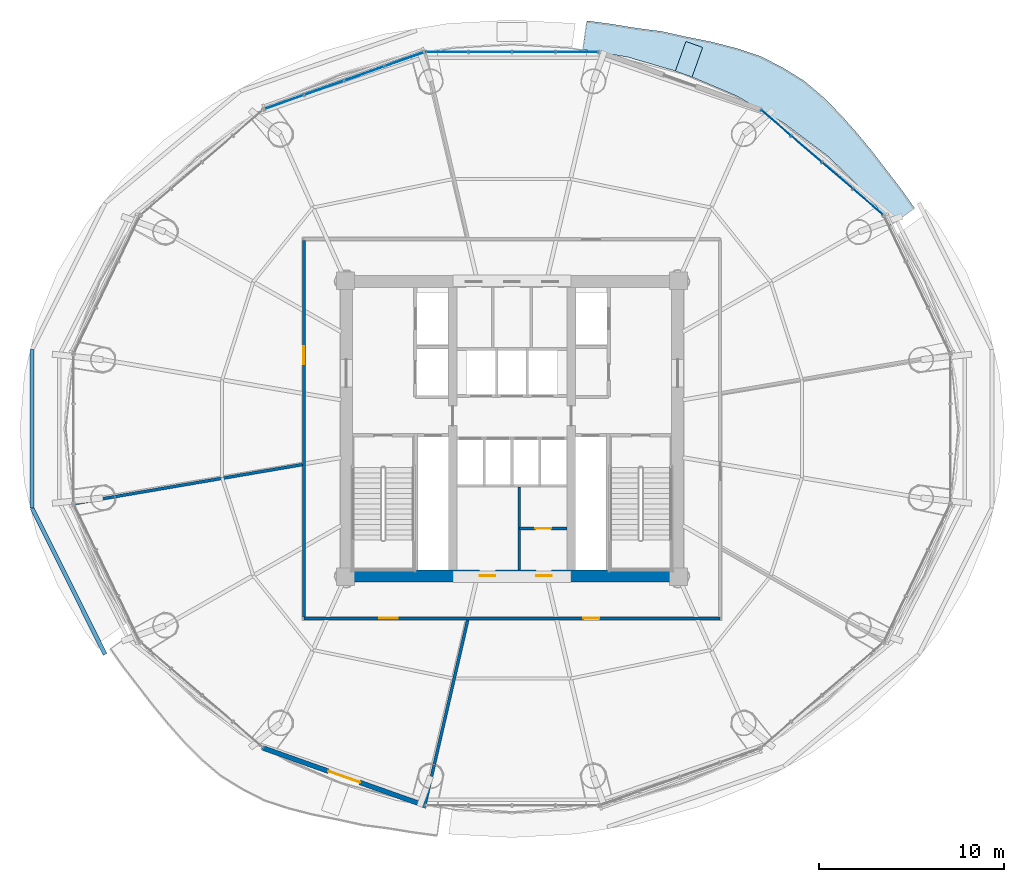
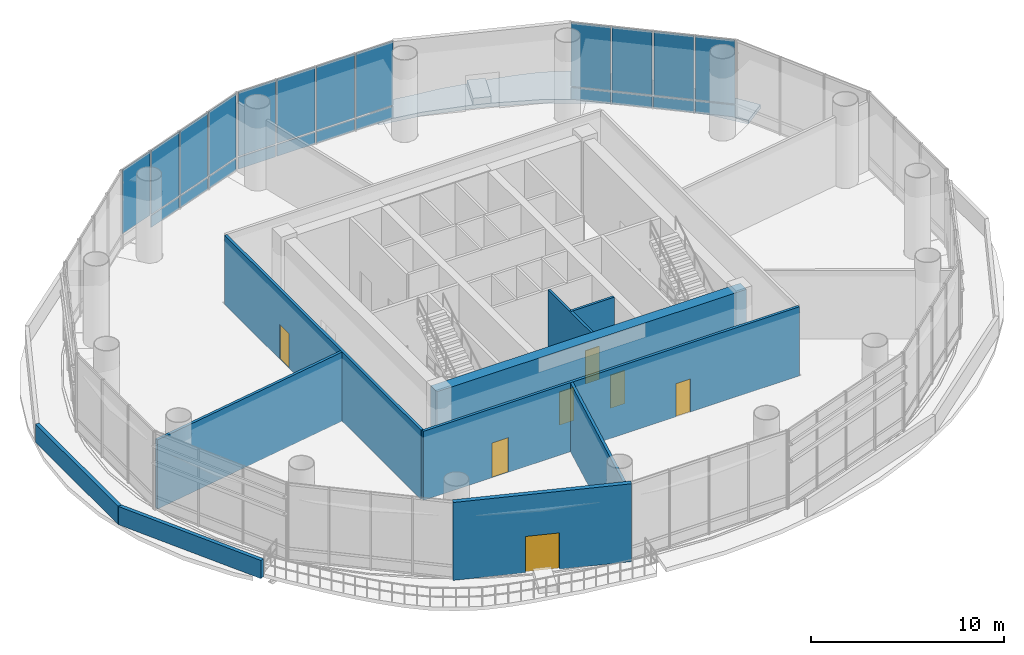
# One storey, part 21 of 29: 23 plates, 10 walls, 7 doors, 2 slabs, 7 openings, 3 elements without a shape of their own.
"""IFC4 building model written with IfcOpenShell, lengths in metres."""

from ifc_helpers import new_model, si_unit, direction, frame, frame_2d, origin, origin_2d, place, context, subcontext, project, spatial, polyline, rectangle, outline, extrude, source, transform, mapped, material, layer, layer_set, type_object, element, fill, aggregate, save


model = new_model("IFC4")

# Units and contexts
model_context = context("Model", 3, precision=1e-05, world=origin(), true_north=direction((-0.2419218956, 0.970295726276)))
body_context = subcontext(model_context, "Body", "Model", "MODEL_VIEW")
ifc_project = project(units=[si_unit("LENGTHUNIT", "METRE"), si_unit("AREAUNIT", "SQUARE_METRE"), si_unit("VOLUMEUNIT", "CUBIC_METRE"), si_unit("PLANEANGLEUNIT", "RADIAN"), si_unit("MASSUNIT", "GRAM", prefix="KILO")], contexts=[model_context])

# Site, building, storey
site_placement = place(None, origin())
site = spatial("IfcSite", under=ifc_project, at=site_placement, CompositionType="ELEMENT")
building_placement = place(site_placement, origin())
building = spatial("IfcBuilding", under=site, at=building_placement, Name="Cobrevalo Terracotta Tower", CompositionType="ELEMENT")
storey_placement = place(building_placement, frame((0.0, 0.0, 130.199951171875)))
storey = spatial("IfcBuildingStorey", under=building, at=storey_placement, Name="L34", CompositionType="ELEMENT", Elevation=130.199951171875)

# Slabs
ifc_material_1 = material(Name="Concrete C45", Category="concrete")
ifc_layer_1 = layer(ifc_material_1, 0.235107421875)
ifc_layer_set_1 = layer_set([ifc_layer_1], Name="Concrete C45")
slab_type_1 = type_object("IfcSlabType", Name="Sky-terrace & stepped lobe balcony slab 235 mm", PredefinedType="FLOOR", material=ifc_layer_set_1)
slab_1_placement = place(storey_placement, frame((0.0, 0.0, -0.23486328125)))
element("IfcSlab", 1, at=slab_1_placement, inside=storey, type_object=slab_type_1, Name="L34 spiralling arc balcony slab lobe 1", PredefinedType="FLOOR", context=body_context, shape_type="SweptSolid", body=[
    extrude(outline(polyline([(59.771484375, 38.722412109375), (59.044189453125, 39.749267578125), (58.2724609375, 40.7490234375), (57.4833984375, 41.774169921875), (56.6552734375, 42.78173828125), (55.771728515625, 43.77685546875), (54.823486328125, 44.734619140625), (53.79345703125, 45.611328125), (52.631591796875, 46.326904296875), (51.419921875, 46.94921875), (50.106689453125, 47.37890625), (48.770263671875, 47.72265625), (47.422607421875, 47.990478515625), (46.088623046875, 48.285888671875), (44.73583984375, 48.460693359375), (43.39501953125, 48.678955078125), (42.050048828125, 48.861572265625), (41.83544921875, 47.308349609375), (44.263916015625, 46.893310546875), (47.26171875, 46.0185546875), (50.10107421875, 44.81494140625), (52.733154296875, 43.30322265625), (55.11328125, 41.50927734375), (57.20068359375, 39.46337890625), (58.49658203125, 37.796630859375), (59.771484375, 38.722412109375)])), origin(), (0.0, 0.0, 1.0), 0.23486328125),
])
ifc_material_2 = material(Name="Precast concrete C45", Category="concrete")
ifc_layer_2 = layer(ifc_material_2, 0.419921875)
ifc_layer_set_2 = layer_set([ifc_layer_2], Name="Precast concrete C45")
slab_type_2 = type_object("IfcSlabType", Name="Structural tree planter trough base 420 mm", PredefinedType="USERDEFINED", material=ifc_layer_set_2)
slab_2_placement = place(storey_placement, origin())
element("IfcSlab", 2, at=slab_2_placement, inside=storey, type_object=slab_type_2, Name="L34 structural tree planter trough 1", ObjectType="PLANTER", PredefinedType="USERDEFINED", context=body_context, shape_type="SweptSolid", body=[
    extrude(outline(polyline([(47.733642578125, 45.81591796875), (48.305908203125, 47.416748046875), (47.40185546875, 47.73974609375), (46.829833984375, 46.138916015625), (47.733642578125, 45.81591796875)])), origin(), (0.0, 0.0, 1.0), 0.420166015625),
])

# Curtain wall, plates
ifc_material_3 = material(Name="Anodized aluminium", Category="aluminium")
curtain_wall_type = type_object("IfcCurtainWallType", Name="Double-height sky-lobby panoramic curtain wall CW-SK", PredefinedType="NOTDEFINED", material=ifc_material_3)
curtain_wall_1_placement = place(storey_placement, origin())
curtain_wall_1 = element("IfcCurtainWall", 3, at=curtain_wall_1_placement, inside=storey, type_object=curtain_wall_type, Name="L34 curtain wall CW-SK-L34-S02", PredefinedType="NOTDEFINED")
ifc_material_4 = material(Name="Terracotta-faced insulated spandrel", Category="masonry")
ifc_layer_3 = layer(ifc_material_4, 0.044921875)
ifc_layer_set_3 = layer_set([ifc_layer_3], Name="Terracotta-faced insulated spandrel")
plate_type_1 = type_object("IfcPlateType", Name="Insulated terracotta-faced spandrel cassette 45 mm", PredefinedType="CURTAIN_PANEL", material=ifc_layer_set_3)
shared_shape_1 = source(origin(), body_context, "Body", "SweptSolid", [
    extrude(rectangle(XDim=2.078125, YDim=0.044921875, at=origin_2d()), origin(), (0.0, 0.0, 1.0), 0.739990234375),
])
plate_1_placement = place(storey_placement, frame((57.247802734375, 39.068603515625, 0.0400390625), z_axis=(0.0, 0.0, 1.0), x_axis=(-0.758436996112, 0.651746363955, 0.0)))
plate_1 = element("IfcPlate", 4, at=plate_1_placement, type_object=plate_type_1, Name="CW-SK-L34-S02 terracotta spandrel panel B01", PredefinedType="CURTAIN_PANEL", context=body_context, shape_type="MappedRepresentation", body=[
    mapped(shared_shape_1, transform((0.0, 0.0, 0.0), scale=1.0)),
])
plate_2_placement = place(storey_placement, frame((52.27685546875, 43.34033203125, 0.0400390625), z_axis=(0.0, 0.0, 1.0), x_axis=(-0.758436996112, 0.651746363955, 0.0)))
plate_2 = element("IfcPlate", 5, at=plate_2_placement, type_object=plate_type_1, Name="CW-SK-L34-S02 terracotta spandrel panel B04", PredefinedType="CURTAIN_PANEL", context=body_context, shape_type="MappedRepresentation", body=[
    mapped(shared_shape_1, transform((0.0, 0.0, 0.0), scale=1.0)),
])
ifc_material_5 = material(Name="Laminated low-E double glazing", Category="glass")
ifc_layer_4 = layer(ifc_material_5, 0.031982421875)
ifc_layer_set_4 = layer_set([ifc_layer_4], Name="Laminated low-E double glazing")
plate_type_2 = type_object("IfcPlateType", Name="Podium clear acoustic laminated glazing panel 32 mm", PredefinedType="CURTAIN_PANEL", material=ifc_layer_set_4)
shared_shape_2 = source(origin(), body_context, "Body", "SweptSolid", [
    extrude(rectangle(XDim=2.078125, YDim=0.035888671875, at=origin_2d()), origin(), (0.0, 0.0, 1.0), 4.030029296875),
])
plate_3_placement = place(storey_placement, frame((57.247802734375, 39.068603515625, 0.85986328125), z_axis=(0.0, 0.0, 1.0), x_axis=(-0.758436996112, 0.651746363955, 0.0)))
plate_3 = element("IfcPlate", 6, at=plate_3_placement, type_object=plate_type_2, Name="CW-SK-L34-S02 glazing panel B01", PredefinedType="CURTAIN_PANEL", context=body_context, shape_type="MappedRepresentation", body=[
    mapped(shared_shape_2, transform((0.0, 0.0, 0.0), scale=1.0)),
])
plate_4_placement = place(storey_placement, frame((52.27685546875, 43.34033203125, 0.85986328125), z_axis=(0.0, 0.0, 1.0), x_axis=(-0.758436996112, 0.651746363955, 0.0)))
plate_4 = element("IfcPlate", 7, at=plate_4_placement, type_object=plate_type_2, Name="CW-SK-L34-S02 glazing panel B04", PredefinedType="CURTAIN_PANEL", context=body_context, shape_type="MappedRepresentation", body=[
    mapped(shared_shape_2, transform((0.0, 0.0, 0.0), scale=1.0)),
])
shared_shape_3 = source(origin(), body_context, "Body", "SweptSolid", [
    extrude(rectangle(XDim=2.1181640625, YDim=0.044921875, at=origin_2d()), origin(), (0.0, 0.0, 1.0), 0.739990234375),
])
plate_5_placement = place(storey_placement, frame((55.595947265625, 40.488037109375, 0.0400390625), z_axis=(0.0, 0.0, 1.0), x_axis=(-0.758436996112, 0.651746363955, 0.0)))
plate_5 = element("IfcPlate", 8, at=plate_5_placement, type_object=plate_type_1, Name="CW-SK-L34-S02 terracotta spandrel panel B02", PredefinedType="CURTAIN_PANEL", context=body_context, shape_type="MappedRepresentation", body=[
    mapped(shared_shape_3, transform((0.0, 0.0, 0.0), scale=1.0)),
])
plate_6_placement = place(storey_placement, frame((53.9287109375, 41.920654296875, 0.0400390625), z_axis=(0.0, 0.0, 1.0), x_axis=(-0.758436996112, 0.651746363955, 0.0)))
plate_6 = element("IfcPlate", 9, at=plate_6_placement, type_object=plate_type_1, Name="CW-SK-L34-S02 terracotta spandrel panel B03", PredefinedType="CURTAIN_PANEL", context=body_context, shape_type="MappedRepresentation", body=[
    mapped(shared_shape_3, transform((0.0, 0.0, 0.0), scale=1.0)),
])
shared_shape_4 = source(origin(), body_context, "Body", "SweptSolid", [
    extrude(rectangle(XDim=2.1181640625, YDim=0.035888671875, at=origin_2d()), origin(), (0.0, 0.0, 1.0), 4.030029296875),
])
plate_7_placement = place(storey_placement, frame((55.595947265625, 40.488037109375, 0.85986328125), z_axis=(0.0, 0.0, 1.0), x_axis=(-0.758436996112, 0.651746363955, 0.0)))
plate_7 = element("IfcPlate", 10, at=plate_7_placement, type_object=plate_type_2, Name="CW-SK-L34-S02 glazing panel B02", PredefinedType="CURTAIN_PANEL", context=body_context, shape_type="MappedRepresentation", body=[
    mapped(shared_shape_4, transform((0.0, 0.0, 0.0), scale=1.0)),
])
plate_8_placement = place(storey_placement, frame((53.9287109375, 41.920654296875, 0.85986328125), z_axis=(0.0, 0.0, 1.0), x_axis=(-0.758436996112, 0.651746363955, 0.0)))
plate_8 = element("IfcPlate", 11, at=plate_8_placement, type_object=plate_type_2, Name="CW-SK-L34-S02 glazing panel B03", PredefinedType="CURTAIN_PANEL", context=body_context, shape_type="MappedRepresentation", body=[
    mapped(shared_shape_4, transform((0.0, 0.0, 0.0), scale=1.0)),
])
aggregate(curtain_wall_1, [plate_1, plate_3, plate_5, plate_7, plate_6, plate_8, plate_2, plate_4])

curtain_wall_2_placement = place(storey_placement, origin())
curtain_wall_2 = element("IfcCurtainWall", 12, at=curtain_wall_2_placement, inside=storey, type_object=curtain_wall_type, Name="L34 curtain wall CW-SK-L34-S04", PredefinedType="NOTDEFINED")
shared_shape_5 = source(origin(), body_context, "Body", "SweptSolid", [
    extrude(rectangle(XDim=2.23779296875, YDim=0.044921875, at=origin_2d()), origin(), (0.0, 0.0, 1.0), 0.739990234375),
])
plate_9_placement = place(storey_placement, frame((41.5166015625, 47.1708984375, 0.0400390625), z_axis=(0.0, 0.0, 1.0), x_axis=(-1.0, 0.0, 0.0)))
plate_9 = element("IfcPlate", 13, at=plate_9_placement, type_object=plate_type_1, Name="CW-SK-L34-S04 terracotta spandrel panel B01", PredefinedType="CURTAIN_PANEL", context=body_context, shape_type="MappedRepresentation", body=[
    mapped(shared_shape_5, transform((0.0, 0.0, 0.0), scale=1.0)),
])
plate_10_placement = place(storey_placement, frame((34.4833984375, 47.1708984375, 0.0400390625), z_axis=(0.0, 0.0, 1.0), x_axis=(-1.0, 0.0, 0.0)))
plate_10 = element("IfcPlate", 14, at=plate_10_placement, type_object=plate_type_1, Name="CW-SK-L34-S04 terracotta spandrel panel B04", PredefinedType="CURTAIN_PANEL", context=body_context, shape_type="MappedRepresentation", body=[
    mapped(shared_shape_5, transform((0.0, 0.0, 0.0), scale=1.0)),
])
shared_shape_6 = source(origin(), body_context, "Body", "SweptSolid", [
    extrude(rectangle(XDim=2.23779296875, YDim=0.035888671875, at=origin_2d()), origin(), (0.0, 0.0, 1.0), 4.030029296875),
])
plate_11_placement = place(storey_placement, frame((41.5166015625, 47.1708984375, 0.85986328125), z_axis=(0.0, 0.0, 1.0), x_axis=(-1.0, 0.0, 0.0)))
plate_11 = element("IfcPlate", 15, at=plate_11_placement, type_object=plate_type_2, Name="CW-SK-L34-S04 glazing panel B01", PredefinedType="CURTAIN_PANEL", context=body_context, shape_type="MappedRepresentation", body=[
    mapped(shared_shape_6, transform((0.0, 0.0, 0.0), scale=1.0)),
])
plate_12_placement = place(storey_placement, frame((34.4833984375, 47.1708984375, 0.85986328125), z_axis=(0.0, 0.0, 1.0), x_axis=(-1.0, 0.0, 0.0)))
plate_12 = element("IfcPlate", 16, at=plate_12_placement, type_object=plate_type_2, Name="CW-SK-L34-S04 glazing panel B04", PredefinedType="CURTAIN_PANEL", context=body_context, shape_type="MappedRepresentation", body=[
    mapped(shared_shape_6, transform((0.0, 0.0, 0.0), scale=1.0)),
])
shared_shape_7 = source(origin(), body_context, "Body", "SweptSolid", [
    extrude(rectangle(XDim=2.277587890625, YDim=0.044921875, at=origin_2d()), origin(), (0.0, 0.0, 1.0), 0.739990234375),
])
plate_13_placement = place(storey_placement, frame((39.1787109375, 47.1708984375, 0.0400390625), z_axis=(0.0, 0.0, 1.0), x_axis=(-1.0, 0.0, 0.0)))
plate_13 = element("IfcPlate", 17, at=plate_13_placement, type_object=plate_type_1, Name="CW-SK-L34-S04 terracotta spandrel panel B02", PredefinedType="CURTAIN_PANEL", context=body_context, shape_type="MappedRepresentation", body=[
    mapped(shared_shape_7, transform((0.0, 0.0, 0.0), scale=1.0)),
])
plate_14_placement = place(storey_placement, frame((36.8212890625, 47.1708984375, 0.0400390625), z_axis=(0.0, 0.0, 1.0), x_axis=(-1.0, 0.0, 0.0)))
plate_14 = element("IfcPlate", 18, at=plate_14_placement, type_object=plate_type_1, Name="CW-SK-L34-S04 terracotta spandrel panel B03", PredefinedType="CURTAIN_PANEL", context=body_context, shape_type="MappedRepresentation", body=[
    mapped(shared_shape_7, transform((0.0, 0.0, 0.0), scale=1.0)),
])
shared_shape_8 = source(origin(), body_context, "Body", "SweptSolid", [
    extrude(rectangle(XDim=2.277587890625, YDim=0.035888671875, at=origin_2d()), origin(), (0.0, 0.0, 1.0), 4.030029296875),
])
plate_15_placement = place(storey_placement, frame((39.1787109375, 47.1708984375, 0.85986328125), z_axis=(0.0, 0.0, 1.0), x_axis=(-1.0, 0.0, 0.0)))
plate_15 = element("IfcPlate", 19, at=plate_15_placement, type_object=plate_type_2, Name="CW-SK-L34-S04 glazing panel B02", PredefinedType="CURTAIN_PANEL", context=body_context, shape_type="MappedRepresentation", body=[
    mapped(shared_shape_8, transform((0.0, 0.0, 0.0), scale=1.0)),
])
plate_16_placement = place(storey_placement, frame((36.8212890625, 47.1708984375, 0.85986328125), z_axis=(0.0, 0.0, 1.0), x_axis=(-1.0, 0.0, 0.0)))
plate_16 = element("IfcPlate", 20, at=plate_16_placement, type_object=plate_type_2, Name="CW-SK-L34-S04 glazing panel B03", PredefinedType="CURTAIN_PANEL", context=body_context, shape_type="MappedRepresentation", body=[
    mapped(shared_shape_8, transform((0.0, 0.0, 0.0), scale=1.0)),
])
aggregate(curtain_wall_2, [plate_9, plate_11, plate_13, plate_15, plate_14, plate_16, plate_10, plate_12])

curtain_wall_3_placement = place(storey_placement, origin())
curtain_wall_3 = element("IfcCurtainWall", 21, at=curtain_wall_3_placement, inside=storey, type_object=curtain_wall_type, Name="L34 curtain wall CW-SK-L34-S05", PredefinedType="NOTDEFINED")
shared_shape_9 = source(origin(), body_context, "Body", "SweptSolid", [
    extrude(rectangle(XDim=2.192138671875, YDim=0.044921875, at=origin_2d()), origin(), (0.0, 0.0, 1.0), 0.739990234375),
])
plate_17_placement = place(storey_placement, frame((32.1767578125, 46.776611328125, 0.0400390625), z_axis=(0.0, 0.0, 1.0), x_axis=(-0.942098428897, -0.335336473217, 0.0)))
plate_17 = element("IfcPlate", 22, at=plate_17_placement, type_object=plate_type_1, Name="CW-SK-L34-S05 terracotta spandrel panel B01", PredefinedType="CURTAIN_PANEL", context=body_context, shape_type="MappedRepresentation", body=[
    mapped(shared_shape_9, transform((0.0, 0.0, 0.0), scale=1.0)),
])
shared_shape_10 = source(origin(), body_context, "Body", "SweptSolid", [
    extrude(rectangle(XDim=2.192138671875, YDim=0.035888671875, at=origin_2d()), origin(), (0.0, 0.0, 1.0), 4.030029296875),
])
plate_18_placement = place(storey_placement, frame((32.1767578125, 46.776611328125, 0.85986328125), z_axis=(0.0, 0.0, 1.0), x_axis=(-0.942098428897, -0.335336473217, 0.0)))
plate_18 = element("IfcPlate", 23, at=plate_18_placement, type_object=plate_type_2, Name="CW-SK-L34-S05 glazing panel B01", PredefinedType="CURTAIN_PANEL", context=body_context, shape_type="MappedRepresentation", body=[
    mapped(shared_shape_10, transform((0.0, 0.0, 0.0), scale=1.0)),
])
plate_19_placement = place(storey_placement, frame((25.6796875, 44.464111328125, 0.85986328125), z_axis=(0.0, 0.0, 1.0), x_axis=(-0.942098428897, -0.335336473217, 0.0)))
plate_19 = element("IfcPlate", 24, at=plate_19_placement, type_object=plate_type_2, Name="CW-SK-L34-S05 glazing panel B04", PredefinedType="CURTAIN_PANEL", context=body_context, shape_type="MappedRepresentation", body=[
    mapped(shared_shape_10, transform((0.0, 0.0, 0.0), scale=1.0)),
])
shared_shape_11 = source(origin(), body_context, "Body", "SweptSolid", [
    extrude(rectangle(XDim=2.232177734375, YDim=0.044921875, at=origin_2d()), origin(), (0.0, 0.0, 1.0), 0.739990234375),
])
plate_20_placement = place(storey_placement, frame((30.017333984375, 46.0078125, 0.0400390625), z_axis=(0.0, 0.0, 1.0), x_axis=(-0.942098428897, -0.335336473217, 0.0)))
plate_20 = element("IfcPlate", 25, at=plate_20_placement, type_object=plate_type_1, Name="CW-SK-L34-S05 terracotta spandrel panel B02", PredefinedType="CURTAIN_PANEL", context=body_context, shape_type="MappedRepresentation", body=[
    mapped(shared_shape_11, transform((0.0, 0.0, 0.0), scale=1.0)),
])
plate_21_placement = place(storey_placement, frame((27.839111328125, 45.232666015625, 0.0400390625), z_axis=(0.0, 0.0, 1.0), x_axis=(-0.942098428897, -0.335336473217, 0.0)))
plate_21 = element("IfcPlate", 26, at=plate_21_placement, type_object=plate_type_1, Name="CW-SK-L34-S05 terracotta spandrel panel B03", PredefinedType="CURTAIN_PANEL", context=body_context, shape_type="MappedRepresentation", body=[
    mapped(shared_shape_11, transform((0.0, 0.0, 0.0), scale=1.0)),
])
shared_shape_12 = source(origin(), body_context, "Body", "SweptSolid", [
    extrude(rectangle(XDim=2.232177734375, YDim=0.035888671875, at=origin_2d()), origin(), (0.0, 0.0, 1.0), 4.030029296875),
])
plate_22_placement = place(storey_placement, frame((30.017333984375, 46.0078125, 0.85986328125), z_axis=(0.0, 0.0, 1.0), x_axis=(-0.942098428897, -0.335336473217, 0.0)))
plate_22 = element("IfcPlate", 27, at=plate_22_placement, type_object=plate_type_2, Name="CW-SK-L34-S05 glazing panel B02", PredefinedType="CURTAIN_PANEL", context=body_context, shape_type="MappedRepresentation", body=[
    mapped(shared_shape_12, transform((0.0, 0.0, 0.0), scale=1.0)),
])
plate_23_placement = place(storey_placement, frame((27.839111328125, 45.232666015625, 0.85986328125), z_axis=(0.0, 0.0, 1.0), x_axis=(-0.942098428897, -0.335336473217, 0.0)))
plate_23 = element("IfcPlate", 28, at=plate_23_placement, type_object=plate_type_2, Name="CW-SK-L34-S05 glazing panel B03", PredefinedType="CURTAIN_PANEL", context=body_context, shape_type="MappedRepresentation", body=[
    mapped(shared_shape_12, transform((0.0, 0.0, 0.0), scale=1.0)),
])
aggregate(curtain_wall_3, [plate_17, plate_18, plate_20, plate_22, plate_21, plate_23, plate_19])

# Wall, openings, doors
ifc_material_6 = material(Name="Concrete C55", Category="concrete")
ifc_layer_5 = layer(ifc_material_6, 0.64990234375)
ifc_layer_set_5 = layer_set([ifc_layer_5], Name="Concrete C55")
wall_type_1 = type_object("IfcWallType", Name="Core shear wall 650 mm Concrete C55", PredefinedType="SHEAR", material=ifc_layer_set_5)
wall_1_placement = place(storey_placement, frame((28.72509765625, 18.85009765625, 0.0), z_axis=(0.0, 0.0, 1.0), x_axis=(1.0, 0.0, 0.0)))
wall_1 = element("IfcWall", 29, at=wall_1_placement, inside=storey, type_object=wall_type_1, Name="L34 south core shear wall", PredefinedType="SHEAR", context=body_context, shape_type="SweptSolid", body=[
    extrude(rectangle(XDim=18.5498046875, YDim=0.64990234375, at=frame_2d((9.27490234375, 0.0))), origin(), (0.0, 0.0, 1.0), 4.929931640625),
])
opening_1_placement = place(wall_1_placement, frame((7.527587890625, 0.0, 0.0)))
opening_1 = element("IfcOpeningElement", 30, at=opening_1_placement, cuts=wall_1, Name="Opening ID-22", PredefinedType="OPENING", context=body_context, shape_type="SweptSolid", body=[
    extrude(rectangle(XDim=0.85009765625, YDim=2.10009765625, at=frame_2d((0.425048828125, 1.050048828125))), frame((0.0, 0.3349609375, 0.0), z_axis=(0.0, -1.0, 0.0), x_axis=(1.0, 0.0, 0.0)), (0.0, 0.0, 1.0), 0.669921875),
])
opening_2_placement = place(wall_1_placement, frame((10.572509765625, 0.0, 0.0)))
opening_2 = element("IfcOpeningElement", 31, at=opening_2_placement, cuts=wall_1, Name="Opening ID-22", PredefinedType="OPENING", context=body_context, shape_type="SweptSolid", body=[
    extrude(rectangle(XDim=0.85009765625, YDim=2.10009765625, at=frame_2d((0.425048828125, 1.050048828125))), frame((0.0, 0.3349609375, 0.0), z_axis=(0.0, -1.0, 0.0), x_axis=(1.0, 0.0, 0.0)), (0.0, 0.0, 1.0), 0.669921875),
])
ifc_material_7 = material(Name="Powder-coated steel", Category="steel")
door_type_1 = type_object("IfcDoorType", Name="Riser shaft & meter closet fire access door 850x2100 EI 60", OperationType="NOTDEFINED", PredefinedType="DOOR", material=ifc_material_7)
shared_shape_13 = source(origin(), body_context, "Body", "SweptSolid", [
    extrude(rectangle(XDim=0.85009765625, YDim=2.10009765625, at=frame_2d((0.425048828125, 1.050048828125))), frame((0.0, 0.02490234375, 0.0), z_axis=(0.0, -1.0, 0.0), x_axis=(1.0, 0.0, 0.0)), (0.0, 0.0, 1.0), 0.050048828125),
])
door_1_placement = place(opening_1_placement, origin())
door_1 = element("IfcDoor", 32, at=door_1_placement, inside=storey, type_object=door_type_1, Name="L34 core south plant door Floor AHU Mechanical Plant", OperationType="SINGLE_SWING_RIGHT", OverallHeight=2.10009765625, OverallWidth=0.85009765625, PredefinedType="DOOR", context=body_context, shape_type="MappedRepresentation", body=[
    mapped(shared_shape_13, transform((0.0, 0.0, 0.0), scale=1.0)),
])
fill(opening_1, door_1)
door_2_placement = place(opening_2_placement, origin())
door_2 = element("IfcDoor", 33, at=door_2_placement, inside=storey, type_object=door_type_1, Name="L34 core south plant door Sprinkler Valve Plant", OperationType="SINGLE_SWING_RIGHT", OverallHeight=2.10009765625, OverallWidth=0.85009765625, PredefinedType="DOOR", context=body_context, shape_type="MappedRepresentation", body=[
    mapped(shared_shape_13, transform((0.0, 0.0, 0.0), scale=1.0)),
])
fill(opening_2, door_2)

ifc_material_8 = material(Name="Gypsum board on steel stud", Category="steel")
ifc_layer_6 = layer(ifc_material_8, 0.159912109375)
ifc_layer_set_6 = layer_set([ifc_layer_6], Name="Gypsum board on steel stud")
wall_type_2 = type_object("IfcWallType", Name="Fire-rated corridor acoustic partition wall 160 mm", PredefinedType="PARTITIONING", material=ifc_layer_set_6)
wall_2_placement = place(storey_placement, frame((26.7451171875, 16.544921875, 0.0), z_axis=(0.0, 0.0, 1.0), x_axis=(1.0, 0.0, 0.0)))
wall_2 = element("IfcWall", 34, at=wall_2_placement, inside=storey, type_object=wall_type_2, Name="L34 interior partition IW-L34-COR-S", PredefinedType="PARTITIONING", context=body_context, shape_type="SweptSolid", body=[
    extrude(rectangle(XDim=22.509765625, YDim=0.159912109375, at=frame_2d((11.2548828125, 0.0))), origin(), (0.0, 0.0, 1.0), 4.3759765625),
])
opening_3_placement = place(wall_2_placement, frame((4.086181640625, 0.0, 0.0)))
opening_3 = element("IfcOpeningElement", 35, at=opening_3_placement, cuts=wall_2, Name="Opening ID-05", PredefinedType="OPENING", context=body_context, shape_type="SweptSolid", body=[
    extrude(rectangle(XDim=0.97998046875, YDim=2.199951171875, at=frame_2d((0.489990234375, 1.10009765625))), frame((0.0, 0.08984375, 0.0), z_axis=(0.0, -1.0, 0.0), x_axis=(1.0, 0.0, 0.0)), (0.0, 0.0, 1.0), 0.179931640625),
])
opening_4_placement = place(wall_2_placement, frame((15.1123046875, 0.0, 0.0)))
opening_4 = element("IfcOpeningElement", 36, at=opening_4_placement, cuts=wall_2, Name="Opening ID-07", PredefinedType="OPENING", context=body_context, shape_type="SweptSolid", body=[
    extrude(rectangle(XDim=0.860107421875, YDim=2.10009765625, at=frame_2d((0.43017578125, 1.050048828125))), frame((0.0, 0.08984375, 0.0), z_axis=(0.0, -1.0, 0.0), x_axis=(1.0, 0.0, 0.0)), (0.0, 0.0, 1.0), 0.179931640625),
])
ifc_material_9 = material(Name="Fire-rated moisture-sealed timber", Category="wood")
door_type_2 = type_object("IfcDoorType", Name="Core & podium fire-rated accessible WC door 860x2100 EI 60", OperationType="NOTDEFINED", PredefinedType="DOOR", material=ifc_material_9)
shared_shape_14 = source(origin(), body_context, "Body", "SweptSolid", [
    extrude(rectangle(XDim=0.860107421875, YDim=2.10009765625, at=frame_2d((0.43017578125, 1.050048828125))), frame((0.0, 0.02490234375, 0.0), z_axis=(0.0, -1.0, 0.0), x_axis=(1.0, 0.0, 0.0)), (0.0, 0.0, 1.0), 0.050048828125),
])
door_3_placement = place(opening_4_placement, frame((0.860107421875, 0.0, 0.0), z_axis=(0.0, 0.0, 1.0), x_axis=(-1.0, 0.0, 0.0)))
door_3 = element("IfcDoor", 37, at=door_3_placement, inside=storey, type_object=door_type_2, Name="L34 Accessible Sky Restrooms WC door", OperationType="SINGLE_SWING_LEFT", OverallHeight=2.10009765625, OverallWidth=0.860107421875, PredefinedType="DOOR", context=body_context, shape_type="MappedRepresentation", body=[
    mapped(shared_shape_14, transform((0.0, 0.0, 0.0), scale=1.0)),
])
fill(opening_4, door_3)
ifc_material_10 = material(Name="Solid hardwood timber", Category="wood")
door_type_3 = type_object("IfcDoorType", Name="Residence entrance fire-rated acoustic timber door 980x2200 EI 60", OperationType="NOTDEFINED", PredefinedType="DOOR", material=ifc_material_10)
shared_shape_15 = source(origin(), body_context, "Body", "SweptSolid", [
    extrude(rectangle(XDim=0.97998046875, YDim=2.199951171875, at=frame_2d((0.489990234375, 1.10009765625))), frame((0.0, 0.02490234375, 0.0), z_axis=(0.0, -1.0, 0.0), x_axis=(1.0, 0.0, 0.0)), (0.0, 0.0, 1.0), 0.050048828125),
])
door_4_placement = place(opening_3_placement, frame((0.97998046875, 0.0, 0.0), z_axis=(0.0, 0.0, 1.0), x_axis=(-1.0, 0.0, 0.0)))
door_4 = element("IfcDoor", 38, at=door_4_placement, inside=storey, type_object=door_type_3, Name="L34 Private Dining Room door", OperationType="SINGLE_SWING_RIGHT", OverallHeight=2.199951171875, OverallWidth=0.97998046875, PredefinedType="DOOR", context=body_context, shape_type="MappedRepresentation", body=[
    mapped(shared_shape_15, transform((0.0, 0.0, 0.0), scale=1.0)),
])
fill(opening_3, door_4)

# Wall, opening, door
wall_3_placement = place(storey_placement, frame((26.7451171875, 16.625, 0.0), z_axis=(0.0, 0.0, 1.0), x_axis=(0.0, 1.0, 0.0)))
wall_3 = element("IfcWall", 39, at=wall_3_placement, inside=storey, type_object=wall_type_2, Name="L34 interior partition IW-L34-COR-W", PredefinedType="PARTITIONING", context=body_context, shape_type="SweptSolid", body=[
    extrude(rectangle(XDim=20.35009765625, YDim=0.159912109375, at=frame_2d((10.175048828125, 0.0))), origin(), (0.0, 0.0, 1.0), 4.3759765625),
])
opening_5_placement = place(wall_3_placement, frame((13.658935546875, 0.0, 0.0)))
opening_5 = element("IfcOpeningElement", 40, at=opening_5_placement, cuts=wall_3, Name="Opening ID-05", PredefinedType="OPENING", context=body_context, shape_type="SweptSolid", body=[
    extrude(rectangle(XDim=0.97998046875, YDim=2.199951171875, at=frame_2d((0.489990234375, 1.10009765625))), frame((0.0, 0.08984375, 0.0), z_axis=(0.0, -1.0, 0.0), x_axis=(1.0, 0.0, 0.0)), (0.0, 0.0, 1.0), 0.179931640625),
])
door_5_placement = place(opening_5_placement, frame((0.97998046875, 0.0, 0.0), z_axis=(0.0, 0.0, 1.0), x_axis=(-1.0, 0.0, 0.0)))
door_5 = element("IfcDoor", 41, at=door_5_placement, inside=storey, type_object=door_type_3, Name="L34 Observatory Bar and Salon door", OperationType="SINGLE_SWING_LEFT", OverallHeight=2.199951171875, OverallWidth=0.97998046875, PredefinedType="DOOR", context=body_context, shape_type="MappedRepresentation", body=[
    mapped(shared_shape_15, transform((0.0, 0.0, 0.0), scale=1.0)),
])
fill(opening_5, door_5)

# Walls
wall_4_placement = place(storey_placement, frame((26.6650390625, 24.862060546875, 0.0), z_axis=(0.0, 0.0, 1.0), x_axis=(-0.985697276978, -0.168525600897, 0.0)))
element("IfcWall", 42, at=wall_4_placement, inside=storey, type_object=wall_type_2, Name="L34 interior partition IW-L34-SW3", PredefinedType="PARTITIONING", context=body_context, shape_type="SweptSolid", body=[
    extrude(rectangle(XDim=12.448486328125, YDim=0.159912109375, at=frame_2d((6.22412109375, 0.0))), origin(), (0.0, 0.0, 1.0), 4.3759765625),
])
wall_5_placement = place(storey_placement, frame((35.608154296875, 16.465087890625, 0.0), z_axis=(0.0, 0.0, 1.0), x_axis=(-0.225467400409, -0.97425071278, 0.0)))
element("IfcWall", 43, at=wall_5_placement, inside=storey, type_object=wall_type_2, Name="L34 interior partition IW-L34-SW4", PredefinedType="PARTITIONING", context=body_context, shape_type="SweptSolid", body=[
    extrude(rectangle(XDim=10.20654296875, YDim=0.159912109375, at=frame_2d((5.103271484375, 0.0))), origin(), (0.0, 0.0, 1.0), 4.3759765625),
])
ifc_material_11 = material(Name="Autoclaved aerated concrete block", Category="concrete")
ifc_layer_7 = layer(ifc_material_11, 0.139892578125)
ifc_layer_set_7 = layer_set([ifc_layer_7], Name="Autoclaved aerated concrete block")
wall_type_3 = type_object("IfcWallType", Name="Moisture-resistant wet-room & core service partition 140 mm", PredefinedType="PARTITIONING", material=ifc_layer_set_7)
wall_6_placement = place(storey_placement, frame((38.39990234375, 19.175048828125, 0.0), z_axis=(0.0, 0.0, 1.0), x_axis=(0.0, 1.0, 0.0)))
element("IfcWall", 44, at=wall_6_placement, inside=storey, type_object=wall_type_3, Name="L34 interior partition IW-L34-KVS-L1", PredefinedType="PARTITIONING", context=body_context, shape_type="SweptSolid", body=[
    extrude(rectangle(XDim=4.46484375, YDim=0.139892578125, at=frame_2d((2.232421875, 0.0))), origin(), (0.0, 0.0, 1.0), 4.929931640625),
])

# Wall, opening, door
wall_7_placement = place(storey_placement, frame((38.39990234375, 21.407470703125, 0.0), z_axis=(0.0, 0.0, 1.0), x_axis=(1.0, 0.0, 0.0)))
wall_7 = element("IfcWall", 45, at=wall_7_placement, inside=storey, type_object=wall_type_3, Name="L34 interior partition IW-L34-KVS-L2", PredefinedType="PARTITIONING", context=body_context, shape_type="SweptSolid", body=[
    extrude(rectangle(XDim=2.5751953125, YDim=0.139892578125, at=frame_2d((1.28759765625, 0.0))), origin(), (0.0, 0.0, 1.0), 4.929931640625),
])
opening_6_placement = place(wall_7_placement, frame((0.862548828125, 0.0, 0.0)))
opening_6 = element("IfcOpeningElement", 46, at=opening_6_placement, cuts=wall_7, Name="Opening ID-22", PredefinedType="OPENING", context=body_context, shape_type="SweptSolid", body=[
    extrude(rectangle(XDim=0.85009765625, YDim=2.10009765625, at=frame_2d((0.425048828125, 1.050048828125))), frame((0.0, 0.080078125, 0.0), z_axis=(0.0, -1.0, 0.0), x_axis=(1.0, 0.0, 0.0)), (0.0, 0.0, 1.0), 0.159912109375),
])
door_6_placement = place(opening_6_placement, origin())
door_6 = element("IfcDoor", 47, at=door_6_placement, inside=storey, type_object=door_type_1, Name="L34 core KVS-L2 inner door", OperationType="SINGLE_SWING_LEFT", OverallHeight=2.10009765625, OverallWidth=0.85009765625, PredefinedType="DOOR", context=body_context, shape_type="MappedRepresentation", body=[
    mapped(shared_shape_13, transform((0.0, 0.0, 0.0), scale=1.0)),
])
fill(opening_6, door_6)

# Walls
ifc_layer_8 = layer(ifc_material_2, 0.219970703125)
ifc_layer_set_8 = layer_set([ifc_layer_8], Name="Precast concrete C45")
wall_type_4 = type_object("IfcWallType", Name="Precast concrete roof and setback terrace parapet wall 220 mm", PredefinedType="PARAPET", material=ifc_layer_set_8)
wall_8_placement = place(storey_placement, frame((12.04833984375, 31.084228515625, 0.0), z_axis=(0.0, 0.0, 1.0), x_axis=(0.0, -1.0, 0.0)))
element("IfcWall", 48, at=wall_8_placement, inside=storey, type_object=wall_type_4, Name="L34 setback roof concrete parapet 08", PredefinedType="PARAPET", context=body_context, shape_type="SweptSolid", body=[
    extrude(rectangle(XDim=8.568359375, YDim=0.219970703125, at=frame_2d((4.2841796875, 0.0))), origin(), (0.0, 0.0, 1.0), 1.150146484375),
])
wall_9_placement = place(storey_placement, frame((12.04833984375, 22.515869140625, 0.0), z_axis=(0.0, 0.0, 1.0), x_axis=(0.4465622461, -0.89475256935, 0.0)))
element("IfcWall", 49, at=wall_9_placement, inside=storey, type_object=wall_type_4, Name="L34 setback roof concrete parapet 09", PredefinedType="PARAPET", context=body_context, shape_type="SweptSolid", body=[
    extrude(rectangle(XDim=8.847412109375, YDim=0.219970703125, at=frame_2d((4.423828125, 0.0))), origin(), (0.0, 0.0, 1.0), 1.150146484375),
])

# Wall, opening, door
ifc_layer_9 = layer(ifc_material_11, 0.260009765625)
ifc_layer_set_9 = layer_set([ifc_layer_9], Name="Autoclaved aerated concrete block")
wall_type_5 = type_object("IfcWallType", Name="Recessed balcony loggia insulated exterior wall 260 mm", PredefinedType="SOLIDWALL", material=ifc_layer_set_9)
wall_10_placement = place(storey_placement, frame((24.49658203125, 9.55712890625, 0.0), z_axis=(0.0, 0.0, 1.0), x_axis=(0.942103604331, -0.335321932934, 0.0)))
wall_10 = element("IfcWall", 50, at=wall_10_placement, inside=storey, type_object=wall_type_5, Name="L34 sky terrace loggia wall S11", PredefinedType="SOLIDWALL", context=body_context, shape_type="SweptSolid", body=[
    extrude(rectangle(XDim=9.408203125, YDim=0.260009765625, at=frame_2d((4.7041015625, 0.0))), origin(), (0.0, 0.0, 1.0), 4.929931640625),
])
opening_7_placement = place(wall_10_placement, frame((3.80419921875, 0.0, 0.0)))
opening_7 = element("IfcOpeningElement", 51, at=opening_7_placement, cuts=wall_10, Name="Opening ED-11", PredefinedType="OPENING", context=body_context, shape_type="SweptSolid", body=[
    extrude(rectangle(XDim=1.800048828125, YDim=2.300048828125, at=frame_2d((0.89990234375, 1.14990234375))), frame((0.0, 0.14013671875, 0.0), z_axis=(0.0, -1.0, 0.0), x_axis=(1.0, 0.0, 0.0)), (0.0, 0.0, 1.0), 0.280029296875),
])
ifc_material_12 = material(Name="Anodized aluminium and laminated glass", Category="aluminium")
door_type_4 = type_object("IfcDoorType", Name="Upper terrace & penthouse external double glazed door 1800x2300", OperationType="NOTDEFINED", PredefinedType="DOOR", material=ifc_material_12)
shared_shape_16 = source(origin(), body_context, "Body", "SweptSolid", [
    extrude(rectangle(XDim=1.800048828125, YDim=2.300048828125, at=frame_2d((0.89990234375, 1.14990234375))), frame((0.0, 0.02490234375, 0.0), z_axis=(0.0, -1.0, 0.0), x_axis=(1.0, 0.0, 0.0)), (0.0, 0.0, 1.0), 0.050048828125),
])
door_7_placement = place(opening_7_placement, frame((1.800048828125, 0.0, 0.0), z_axis=(0.0, 0.0, 1.0), x_axis=(-1.0, 0.0, 0.0)))
door_7 = element("IfcDoor", 52, at=door_7_placement, inside=storey, type_object=door_type_4, Name="L34 external terrace glazed double door 2", OperationType="DOUBLE_DOOR_SINGLE_SWING", OverallHeight=2.300048828125, OverallWidth=1.800048828125, PredefinedType="DOOR", context=body_context, shape_type="MappedRepresentation", body=[
    mapped(shared_shape_16, transform((0.0, 0.0, 0.0), scale=1.0)),
])
fill(opening_7, door_7)

save(model, "model.ifc")
